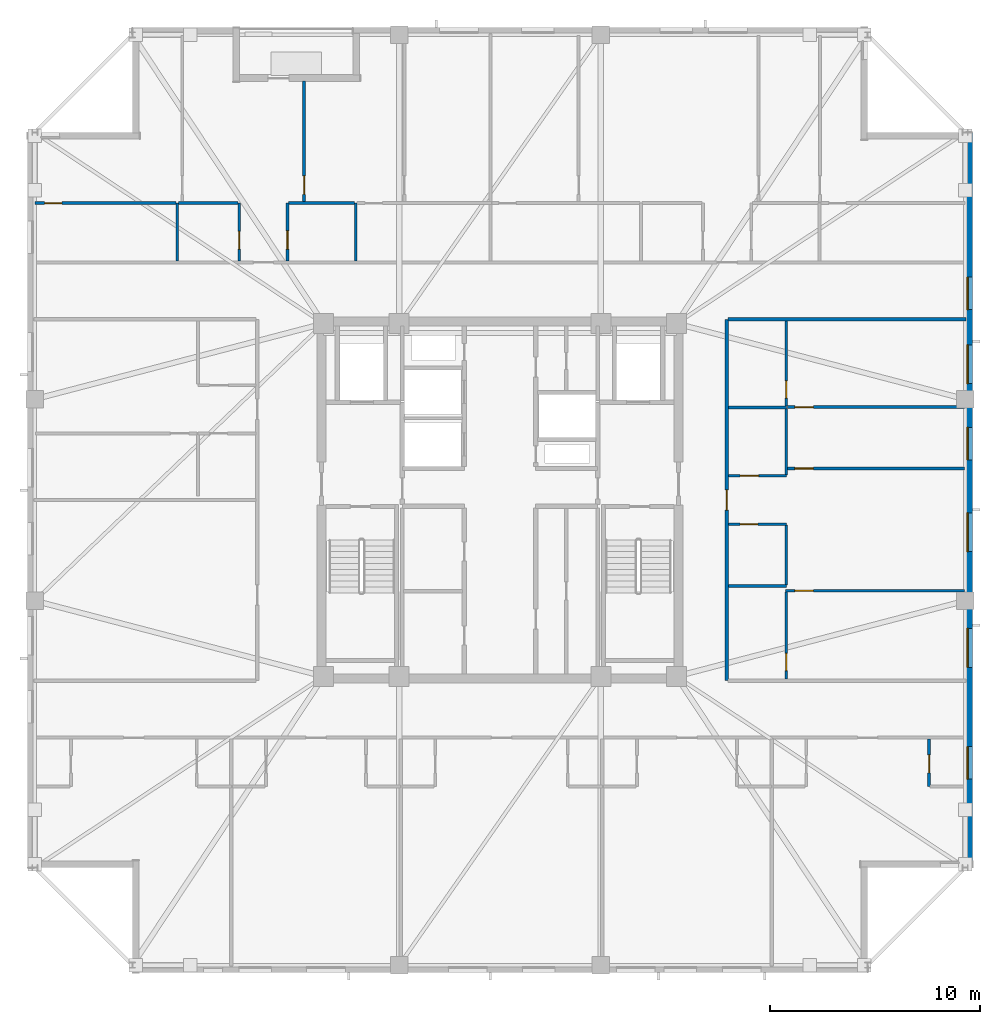
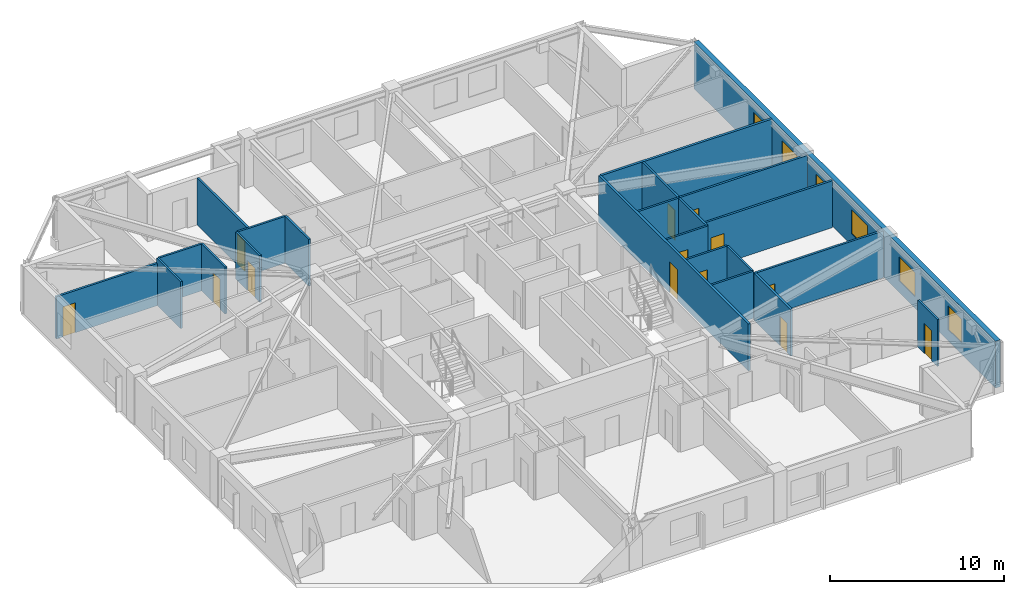
# One storey, part 10 of 17: 23 walls, 13 doors, 6 windows, 19 openings.
"""IFC4 building model written with IfcOpenShell, lengths in metres."""

from ifc_helpers import new_model, si_unit, direction, frame, frame_2d, origin, place, context, subcontext, project, spatial, rectangle, extrude, material, layer, layer_set, type_object, element, fill, save


model = new_model("IFC4")

# Units and contexts
model_context = context("Model", 3, precision=1e-05, world=origin(), true_north=direction((0.0, 1.0)))
body_context = subcontext(model_context, "Body", "Model", "MODEL_VIEW")
ifc_project = project(units=[si_unit("LENGTHUNIT", "METRE"), si_unit("AREAUNIT", "SQUARE_METRE"), si_unit("VOLUMEUNIT", "CUBIC_METRE"), si_unit("PLANEANGLEUNIT", "RADIAN"), si_unit("MASSUNIT", "GRAM", prefix="KILO")], contexts=[model_context])

# Site, building, storey
site_placement = place(None, origin())
site = spatial("IfcSite", under=ifc_project, at=site_placement, CompositionType="ELEMENT")
building_placement = place(site_placement, origin())
building = spatial("IfcBuilding", under=site, at=building_placement, Name="Cairnveth Concourse Tower", CompositionType="ELEMENT")
storey_placement = place(building_placement, frame((0.0, 0.0, 216.5)))
storey = spatial("IfcBuildingStorey", under=building, at=storey_placement, Name="L59", CompositionType="ELEMENT", Elevation=216.5)

# Wall, opening, door
ifc_material_1 = material(Name="Gypsum Plasterboard Partition", Category="gypsum")
ifc_layer_1 = layer(ifc_material_1, 0.159912109375)
ifc_layer_set_1 = layer_set([ifc_layer_1], Name="Gypsum Plasterboard Partition")
wall_type_1 = type_object("IfcWallType", Name="ACOUSTIC PARTY WALL 180", PredefinedType="PARTITIONING", material=ifc_layer_set_1)
wall_1_placement = place(storey_placement, frame((62.800048828125, 30.39990234375, 0.0), z_axis=(0.0, 0.0, 1.0), x_axis=(0.0, 1.0, 0.0)))
wall_1 = element("IfcWall", 1, at=wall_1_placement, inside=storey, type_object=wall_type_1, Name="Interior Wall IW-L59-039", PredefinedType="PARTITIONING", context=body_context, shape_type="SweptSolid", body=[
    extrude(rectangle(XDim=17.2001953125, YDim=0.159912109375, at=frame_2d((8.60009765625, 0.0))), origin(), (0.0, 0.0, 1.0), 3.2900390625),
])
opening_1_placement = place(wall_1_placement, frame((8.1201171875, 0.0, 0.0)))
opening_1 = element("IfcOpeningElement", 2, at=opening_1_placement, cuts=wall_1, Name="Opening ID10", PredefinedType="OPENING", context=body_context, shape_type="SweptSolid", body=[
    extrude(rectangle(XDim=0.9599609375, YDim=2.179931640625, at=frame_2d((0.47998046875, 1.08984375))), frame((0.0, 0.08984375, 0.0), z_axis=(0.0, -1.0, 0.0), x_axis=(1.0, 0.0, 0.0)), (0.0, 0.0, 1.0), 0.179931640625),
])
ifc_material_2 = material(Name="Solid Core Hardwood Timber Leaf", Category="wood")
door_type_1 = type_object("IfcDoorType", Name="FLAT ENTRANCE DOOR 960X2150", OperationType="NOTDEFINED", PredefinedType="DOOR", material=ifc_material_2)
door_1_placement = place(opening_1_placement, origin())
door_1 = element("IfcDoor", 3, at=door_1_placement, inside=storey, type_object=door_type_1, Name="Apartment L59E1 Entrance Door", OperationType="SINGLE_SWING_RIGHT", OverallHeight=2.179931640625, OverallWidth=0.9599609375, PredefinedType="DOOR", context=body_context, shape_type="SweptSolid", body=[
    extrude(rectangle(XDim=0.9599609375, YDim=2.179931640625, at=frame_2d((0.47998046875, 1.08984375))), frame((0.0, 0.02490234375, 0.0), z_axis=(0.0, -1.0, 0.0), x_axis=(1.0, 0.0, 0.0)), (0.0, 0.0, 1.0), 0.050048828125),
])
fill(opening_1, door_1)

# Wall
wall_2_placement = place(storey_placement, frame((62.864990234375, 47.60009765625, 0.0), z_axis=(0.0, 0.0, 1.0), x_axis=(1.0, 0.0, 0.0)))
element("IfcWall", 4, at=wall_2_placement, inside=storey, type_object=wall_type_1, Name="Interior Wall IW-L59-043", PredefinedType="PARTITIONING", context=body_context, shape_type="SweptSolid", body=[
    extrude(rectangle(XDim=11.330078125, YDim=0.159912109375, at=frame_2d((5.6650390625, 0.0))), origin(), (0.0, 0.0, 1.0), 3.2900390625),
])

# Wall, opening, door
ifc_layer_2 = layer(ifc_material_1, 0.139892578125)
ifc_layer_set_2 = layer_set([ifc_layer_2], Name="Gypsum Plasterboard Partition")
wall_type_2 = type_object("IfcWallType", Name="GYPSUM STUD PARTITION 140", PredefinedType="PARTITIONING", material=ifc_layer_set_2)
wall_3_placement = place(storey_placement, frame((29.8701171875, 53.139892578125, 0.0), z_axis=(0.0, 0.0, 1.0), x_axis=(1.0, 0.0, 0.0)))
wall_3 = element("IfcWall", 5, at=wall_3_placement, inside=storey, type_object=wall_type_2, Name="Interior Wall IW-L59-075", PredefinedType="PARTITIONING", context=body_context, shape_type="SweptSolid", body=[
    extrude(rectangle(XDim=6.71240234375, YDim=0.139892578125, at=frame_2d((3.356201171875, 0.0))), origin(), (0.0, 0.0, 1.0), 2.9580078125),
])
opening_2_placement = place(wall_3_placement, frame((0.449951171875, 0.0, 0.0)))
opening_2 = element("IfcOpeningElement", 6, at=opening_2_placement, cuts=wall_3, Name="Opening ID22", PredefinedType="OPENING", context=body_context, shape_type="SweptSolid", body=[
    extrude(rectangle(XDim=0.820068359375, YDim=2.10009765625, at=frame_2d((0.41015625, 1.050048828125))), frame((0.0, 0.079833984375, 0.0), z_axis=(0.0, -1.0, 0.0), x_axis=(1.0, 0.0, 0.0)), (0.0, 0.0, 1.0), 0.159912109375),
])
door_type_2 = type_object("IfcDoorType", Name="INTERIOR WC DOOR 820X2100", OperationType="NOTDEFINED", PredefinedType="DOOR", material=ifc_material_2)
door_2_placement = place(opening_2_placement, origin())
door_2 = element("IfcDoor", 7, at=door_2_placement, inside=storey, type_object=door_type_2, Name="L59N1 Dressing Door", OperationType="SINGLE_SWING_RIGHT", OverallHeight=2.10009765625, OverallWidth=0.820068359375, PredefinedType="DOOR", context=body_context, shape_type="SweptSolid", body=[
    extrude(rectangle(XDim=0.820068359375, YDim=2.10009765625, at=frame_2d((0.41015625, 1.050048828125))), frame((0.0, 0.02490234375, 0.0), z_axis=(0.0, -1.0, 0.0), x_axis=(1.0, 0.0, 0.0)), (0.0, 0.0, 1.0), 0.050048828125),
])
fill(opening_2, door_2)

wall_4_placement = place(storey_placement, frame((42.669921875, 53.18994140625, 0.0), z_axis=(0.0, 0.0, 1.0), x_axis=(0.0, 1.0, 0.0)))
wall_4 = element("IfcWall", 8, at=wall_4_placement, inside=storey, type_object=wall_type_2, Name="Interior Wall IW-L59-078", PredefinedType="PARTITIONING", context=body_context, shape_type="SweptSolid", body=[
    extrude(rectangle(XDim=5.755126953125, YDim=0.139892578125, at=frame_2d((2.87744140625, 0.0))), origin(), (0.0, 0.0, 1.0), 3.2900390625),
])
opening_3_placement = place(wall_4_placement, frame((0.360107421875, 0.0, 0.0)))
opening_3 = element("IfcOpeningElement", 9, at=opening_3_placement, cuts=wall_4, Name="Opening ID18", PredefinedType="OPENING", context=body_context, shape_type="SweptSolid", body=[
    extrude(rectangle(XDim=0.8798828125, YDim=2.10009765625, at=frame_2d((0.43994140625, 1.050048828125))), frame((0.0, 0.079833984375, 0.0), z_axis=(0.0, -1.0, 0.0), x_axis=(1.0, 0.0, 0.0)), (0.0, 0.0, 1.0), 0.159912109375),
])
door_type_3 = type_object("IfcDoorType", Name="INTERIOR SINGLE DOOR 880X2100", OperationType="NOTDEFINED", PredefinedType="DOOR", material=ifc_material_2)
door_3_placement = place(opening_3_placement, origin())
door_3 = element("IfcDoor", 10, at=door_3_placement, inside=storey, type_object=door_type_3, Name="L59N1 Media Lounge Door", OperationType="SINGLE_SWING_RIGHT", OverallHeight=2.10009765625, OverallWidth=0.8798828125, PredefinedType="DOOR", context=body_context, shape_type="SweptSolid", body=[
    extrude(rectangle(XDim=0.8798828125, YDim=2.10009765625, at=frame_2d((0.43994140625, 1.050048828125))), frame((0.0, 0.02490234375, 0.0), z_axis=(0.0, -1.0, 0.0), x_axis=(1.0, 0.0, 0.0)), (0.0, 0.0, 1.0), 0.050048828125),
])
fill(opening_3, door_3)

wall_5_placement = place(storey_placement, frame((65.590087890625, 34.679931640625, 0.0), z_axis=(0.0, 0.0, 1.0), x_axis=(1.0, 0.0, 0.0)))
wall_5 = element("IfcWall", 11, at=wall_5_placement, inside=storey, type_object=wall_type_2, Name="Interior Wall IW-L59-103", PredefinedType="PARTITIONING", context=body_context, shape_type="SweptSolid", body=[
    extrude(rectangle(XDim=8.530029296875, YDim=0.139892578125, at=frame_2d((4.26513671875, 0.0))), origin(), (0.0, 0.0, 1.0), 3.2900390625),
])
opening_4_placement = place(wall_5_placement, frame((0.449951171875, 0.0, 0.0)))
opening_4 = element("IfcOpeningElement", 12, at=opening_4_placement, cuts=wall_5, Name="Opening ID18", PredefinedType="OPENING", context=body_context, shape_type="SweptSolid", body=[
    extrude(rectangle(XDim=0.8798828125, YDim=2.10009765625, at=frame_2d((0.43994140625, 1.050048828125))), frame((0.0, 0.079833984375, 0.0), z_axis=(0.0, -1.0, 0.0), x_axis=(1.0, 0.0, 0.0)), (0.0, 0.0, 1.0), 0.159912109375),
])
door_4_placement = place(opening_4_placement, origin())
door_4 = element("IfcDoor", 13, at=door_4_placement, inside=storey, type_object=door_type_3, Name="L59E1 Master Bedroom Door", OperationType="SINGLE_SWING_RIGHT", OverallHeight=2.10009765625, OverallWidth=0.8798828125, PredefinedType="DOOR", context=body_context, shape_type="SweptSolid", body=[
    extrude(rectangle(XDim=0.8798828125, YDim=2.10009765625, at=frame_2d((0.43994140625, 1.050048828125))), frame((0.0, 0.02490234375, 0.0), z_axis=(0.0, -1.0, 0.0), x_axis=(1.0, 0.0, 0.0)), (0.0, 0.0, 1.0), 0.050048828125),
])
fill(opening_4, door_4)

wall_6_placement = place(storey_placement, frame((65.6298828125, 30.465087890625, 0.0), z_axis=(0.0, 0.0, 1.0), x_axis=(0.0, 1.0, 0.0)))
wall_6 = element("IfcWall", 14, at=wall_6_placement, inside=storey, type_object=wall_type_2, Name="Interior Wall IW-L59-104", PredefinedType="PARTITIONING", context=body_context, shape_type="SweptSolid", body=[
    extrude(rectangle(XDim=4.159912109375, YDim=0.139892578125, at=frame_2d((2.080078125, 0.0))), origin(), (0.0, 0.0, 1.0), 3.2900390625),
])
opening_5_placement = place(wall_6_placement, frame((0.4150390625, 0.0, 0.0)))
opening_5 = element("IfcOpeningElement", 15, at=opening_5_placement, cuts=wall_6, Name="Opening ID22", PredefinedType="OPENING", context=body_context, shape_type="SweptSolid", body=[
    extrude(rectangle(XDim=0.820068359375, YDim=2.10009765625, at=frame_2d((0.41015625, 1.050048828125))), frame((0.0, 0.079833984375, 0.0), z_axis=(0.0, -1.0, 0.0), x_axis=(1.0, 0.0, 0.0)), (0.0, 0.0, 1.0), 0.159912109375),
])
door_5_placement = place(opening_5_placement, origin())
door_5 = element("IfcDoor", 16, at=door_5_placement, inside=storey, type_object=door_type_2, Name="L59E1 Dressing Door", OperationType="SINGLE_SWING_LEFT", OverallHeight=2.10009765625, OverallWidth=0.820068359375, PredefinedType="DOOR", context=body_context, shape_type="SweptSolid", body=[
    extrude(rectangle(XDim=0.820068359375, YDim=2.10009765625, at=frame_2d((0.41015625, 1.050048828125))), frame((0.0, 0.02490234375, 0.0), z_axis=(0.0, -1.0, 0.0), x_axis=(1.0, 0.0, 0.0)), (0.0, 0.0, 1.0), 0.050048828125),
])
fill(opening_5, door_5)

wall_7_placement = place(storey_placement, frame((65.679931640625, 43.419921875, 0.0), z_axis=(0.0, 0.0, 1.0), x_axis=(1.0, 0.0, 0.0)))
wall_7 = element("IfcWall", 17, at=wall_7_placement, inside=storey, type_object=wall_type_2, Name="Interior Wall IW-L59-105", PredefinedType="PARTITIONING", context=body_context, shape_type="SweptSolid", body=[
    extrude(rectangle(XDim=8.440185546875, YDim=0.139892578125, at=frame_2d((4.22021484375, 0.0))), origin(), (0.0, 0.0, 1.0), 3.2900390625),
])
opening_6_placement = place(wall_7_placement, frame((0.360107421875, 0.0, 0.0)))
opening_6 = element("IfcOpeningElement", 18, at=opening_6_placement, cuts=wall_7, Name="Opening ID18", PredefinedType="OPENING", context=body_context, shape_type="SweptSolid", body=[
    extrude(rectangle(XDim=0.8798828125, YDim=2.10009765625, at=frame_2d((0.43994140625, 1.050048828125))), frame((0.0, 0.079833984375, 0.0), z_axis=(0.0, -1.0, 0.0), x_axis=(1.0, 0.0, 0.0)), (0.0, 0.0, 1.0), 0.159912109375),
])
door_6_placement = place(opening_6_placement, origin())
door_6 = element("IfcDoor", 19, at=door_6_placement, inside=storey, type_object=door_type_3, Name="L59E1 Bedroom 2 Door", OperationType="SINGLE_SWING_RIGHT", OverallHeight=2.10009765625, OverallWidth=0.8798828125, PredefinedType="DOOR", context=body_context, shape_type="SweptSolid", body=[
    extrude(rectangle(XDim=0.8798828125, YDim=2.10009765625, at=frame_2d((0.43994140625, 1.050048828125))), frame((0.0, 0.02490234375, 0.0), z_axis=(0.0, -1.0, 0.0), x_axis=(1.0, 0.0, 0.0)), (0.0, 0.0, 1.0), 0.050048828125),
])
fill(opening_6, door_6)

wall_8_placement = place(storey_placement, frame((65.6298828125, 43.47509765625, 0.0), z_axis=(0.0, 0.0, 1.0), x_axis=(0.0, 1.0, 0.0)))
wall_8 = element("IfcWall", 20, at=wall_8_placement, inside=storey, type_object=wall_type_2, Name="Interior Wall IW-L59-106", PredefinedType="PARTITIONING", context=body_context, shape_type="SweptSolid", body=[
    extrude(rectangle(XDim=4.059814453125, YDim=0.139892578125, at=frame_2d((2.02978515625, 0.0))), origin(), (0.0, 0.0, 1.0), 3.2900390625),
])
opening_7_placement = place(wall_8_placement, frame((0.375, 0.0, 0.0)))
opening_7 = element("IfcOpeningElement", 21, at=opening_7_placement, cuts=wall_8, Name="Opening ID22", PredefinedType="OPENING", context=body_context, shape_type="SweptSolid", body=[
    extrude(rectangle(XDim=0.820068359375, YDim=2.10009765625, at=frame_2d((0.41015625, 1.050048828125))), frame((0.0, 0.079833984375, 0.0), z_axis=(0.0, -1.0, 0.0), x_axis=(1.0, 0.0, 0.0)), (0.0, 0.0, 1.0), 0.159912109375),
])
door_7_placement = place(opening_7_placement, origin())
door_7 = element("IfcDoor", 22, at=door_7_placement, inside=storey, type_object=door_type_2, Name="L59E1 Utility Door", OperationType="SINGLE_SWING_LEFT", OverallHeight=2.10009765625, OverallWidth=0.820068359375, PredefinedType="DOOR", context=body_context, shape_type="SweptSolid", body=[
    extrude(rectangle(XDim=0.820068359375, YDim=2.10009765625, at=frame_2d((0.41015625, 1.050048828125))), frame((0.0, 0.02490234375, 0.0), z_axis=(0.0, -1.0, 0.0), x_axis=(1.0, 0.0, 0.0)), (0.0, 0.0, 1.0), 0.050048828125),
])
fill(opening_7, door_7)

wall_9_placement = place(storey_placement, frame((65.679931640625, 40.5, 0.0), z_axis=(0.0, 0.0, 1.0), x_axis=(1.0, 0.0, 0.0)))
wall_9 = element("IfcWall", 23, at=wall_9_placement, inside=storey, type_object=wall_type_2, Name="Interior Wall IW-L59-107", PredefinedType="PARTITIONING", context=body_context, shape_type="SweptSolid", body=[
    extrude(rectangle(XDim=8.440185546875, YDim=0.139892578125, at=frame_2d((4.22021484375, 0.0))), origin(), (0.0, 0.0, 1.0), 3.2900390625),
])
opening_8_placement = place(wall_9_placement, frame((0.360107421875, 0.0, 0.0)))
opening_8 = element("IfcOpeningElement", 24, at=opening_8_placement, cuts=wall_9, Name="Opening ID18", PredefinedType="OPENING", context=body_context, shape_type="SweptSolid", body=[
    extrude(rectangle(XDim=0.8798828125, YDim=2.10009765625, at=frame_2d((0.43994140625, 1.050048828125))), frame((0.0, 0.079833984375, 0.0), z_axis=(0.0, -1.0, 0.0), x_axis=(1.0, 0.0, 0.0)), (0.0, 0.0, 1.0), 0.159912109375),
])
door_8_placement = place(opening_8_placement, origin())
door_8 = element("IfcDoor", 25, at=door_8_placement, inside=storey, type_object=door_type_3, Name="L59E1 Media Lounge Door", OperationType="SINGLE_SWING_LEFT", OverallHeight=2.10009765625, OverallWidth=0.8798828125, PredefinedType="DOOR", context=body_context, shape_type="SweptSolid", body=[
    extrude(rectangle(XDim=0.8798828125, YDim=2.10009765625, at=frame_2d((0.43994140625, 1.050048828125))), frame((0.0, 0.02490234375, 0.0), z_axis=(0.0, -1.0, 0.0), x_axis=(1.0, 0.0, 0.0)), (0.0, 0.0, 1.0), 0.050048828125),
])
fill(opening_8, door_8)

ifc_layer_3 = layer(ifc_material_1, 0.1298828125)
ifc_layer_set_3 = layer_set([ifc_layer_3], Name="Gypsum Plasterboard Partition")
wall_type_3 = type_object("IfcWallType", Name="WET AREA PARTITION 140", PredefinedType="PLUMBINGWALL", material=ifc_layer_set_3)
wall_10_placement = place(storey_placement, frame((72.429931640625, 25.360107421875, 0.0), z_axis=(0.0, 0.0, 1.0), x_axis=(0.0, 1.0, 0.0)))
wall_10 = element("IfcWall", 26, at=wall_10_placement, inside=storey, type_object=wall_type_3, Name="Interior Wall IW-L59-066", PredefinedType="PLUMBINGWALL", context=body_context, shape_type="SweptSolid", body=[
    extrude(rectangle(XDim=2.25, YDim=0.1298828125, at=frame_2d((1.125, 0.0))), origin(), (0.0, 0.0, 1.0), 3.2900390625),
])
opening_9_placement = place(wall_10_placement, frame((0.64990234375, 0.0, 0.0)))
opening_9 = element("IfcOpeningElement", 27, at=opening_9_placement, cuts=wall_10, Name="Opening ID20", PredefinedType="OPENING", context=body_context, shape_type="SweptSolid", body=[
    extrude(rectangle(XDim=0.85009765625, YDim=2.10009765625, at=frame_2d((0.425048828125, 1.050048828125))), frame((0.0, 0.074951171875, 0.0), z_axis=(0.0, -1.0, 0.0), x_axis=(1.0, 0.0, 0.0)), (0.0, 0.0, 1.0), 0.14990234375),
])
door_type_4 = type_object("IfcDoorType", Name="INTERIOR SINGLE DOOR 850X2100", OperationType="NOTDEFINED", PredefinedType="DOOR", material=ifc_material_2)
door_9_placement = place(opening_9_placement, origin())
door_9 = element("IfcDoor", 28, at=door_9_placement, inside=storey, type_object=door_type_4, Name="L59STS5 Kitchen Door", OperationType="SINGLE_SWING_RIGHT", OverallHeight=2.10009765625, OverallWidth=0.85009765625, PredefinedType="DOOR", context=body_context, shape_type="SweptSolid", body=[
    extrude(rectangle(XDim=0.85009765625, YDim=2.10009765625, at=frame_2d((0.425048828125, 1.050048828125))), frame((0.0, 0.02490234375, 0.0), z_axis=(0.0, -1.0, 0.0), x_axis=(1.0, 0.0, 0.0)), (0.0, 0.0, 1.0), 0.050048828125),
])
fill(opening_9, door_9)

# Wall
wall_11_placement = place(storey_placement, frame((36.632568359375, 50.389892578125, 0.0), z_axis=(0.0, 0.0, 1.0), x_axis=(0.0, 1.0, 0.0)))
element("IfcWall", 29, at=wall_11_placement, inside=storey, type_object=wall_type_3, Name="Interior Wall IW-L59-068", PredefinedType="PLUMBINGWALL", context=body_context, shape_type="SweptSolid", body=[
    extrude(rectangle(XDim=2.75, YDim=0.1298828125, at=frame_2d((1.375, 0.0))), origin(), (0.0, 0.0, 1.0), 3.2900390625),
])

# Wall, opening, door
wall_12_placement = place(storey_placement, frame((39.58251953125, 50.389892578125, 0.0), z_axis=(0.0, 0.0, 1.0), x_axis=(0.0, 1.0, 0.0)))
wall_12 = element("IfcWall", 30, at=wall_12_placement, inside=storey, type_object=wall_type_3, Name="Interior Wall IW-L59-069", PredefinedType="PLUMBINGWALL", context=body_context, shape_type="SweptSolid", body=[
    extrude(rectangle(XDim=2.75, YDim=0.1298828125, at=frame_2d((1.375, 0.0))), origin(), (0.0, 0.0, 1.0), 3.2900390625),
])
opening_10_placement = place(wall_12_placement, frame((0.550048828125, 0.0, 0.0)))
opening_10 = element("IfcOpeningElement", 31, at=opening_10_placement, cuts=wall_12, Name="Opening ID21", PredefinedType="OPENING", context=body_context, shape_type="SweptSolid", body=[
    extrude(rectangle(XDim=0.85009765625, YDim=2.080078125, at=frame_2d((0.425048828125, 1.0400390625))), frame((0.0, 0.074951171875, 0.0), z_axis=(0.0, -1.0, 0.0), x_axis=(1.0, 0.0, 0.0)), (0.0, 0.0, 1.0), 0.14990234375),
])
door_type_5 = type_object("IfcDoorType", Name="INTERIOR WC DOOR 850X2100", OperationType="NOTDEFINED", PredefinedType="DOOR", material=ifc_material_2)
door_10_placement = place(opening_10_placement, origin())
door_10 = element("IfcDoor", 32, at=door_10_placement, inside=storey, type_object=door_type_5, Name="L59N1 Bathroom Door", OperationType="SINGLE_SWING_RIGHT", OverallHeight=2.080078125, OverallWidth=0.85009765625, PredefinedType="DOOR", context=body_context, shape_type="SweptSolid", body=[
    extrude(rectangle(XDim=0.85009765625, YDim=2.080078125, at=frame_2d((0.425048828125, 1.0400390625))), frame((0.0, 0.02490234375, 0.0), z_axis=(0.0, -1.0, 0.0), x_axis=(1.0, 0.0, 0.0)), (0.0, 0.0, 1.0), 0.050048828125),
])
fill(opening_10, door_10)

# Walls
wall_13_placement = place(storey_placement, frame((36.6826171875, 53.139892578125, 0.0), z_axis=(0.0, 0.0, 1.0), x_axis=(1.0, 0.0, 0.0)))
element("IfcWall", 33, at=wall_13_placement, inside=storey, type_object=wall_type_3, Name="Interior Wall IW-L59-070", PredefinedType="PLUMBINGWALL", context=body_context, shape_type="SweptSolid", body=[
    extrude(rectangle(XDim=2.849853515625, YDim=0.1298828125, at=frame_2d((1.4248046875, 0.0))), origin(), (0.0, 0.0, 1.0), 3.2900390625),
])
wall_14_placement = place(storey_placement, frame((45.132568359375, 50.389892578125, 0.0), z_axis=(0.0, 0.0, 1.0), x_axis=(0.0, 1.0, 0.0)))
element("IfcWall", 34, at=wall_14_placement, inside=storey, type_object=wall_type_3, Name="Interior Wall IW-L59-071", PredefinedType="PLUMBINGWALL", context=body_context, shape_type="SweptSolid", body=[
    extrude(rectangle(XDim=2.75, YDim=0.1298828125, at=frame_2d((1.375, 0.0))), origin(), (0.0, 0.0, 1.0), 3.2900390625),
])

# Wall, opening, door
wall_15_placement = place(storey_placement, frame((41.882568359375, 50.389892578125, 0.0), z_axis=(0.0, 0.0, 1.0), x_axis=(0.0, 1.0, 0.0)))
wall_15 = element("IfcWall", 35, at=wall_15_placement, inside=storey, type_object=wall_type_3, Name="Interior Wall IW-L59-072", PredefinedType="PLUMBINGWALL", context=body_context, shape_type="SweptSolid", body=[
    extrude(rectangle(XDim=2.75, YDim=0.1298828125, at=frame_2d((1.375, 0.0))), origin(), (0.0, 0.0, 1.0), 3.2900390625),
])
opening_11_placement = place(wall_15_placement, frame((0.550048828125, 0.0, 0.0)))
opening_11 = element("IfcOpeningElement", 36, at=opening_11_placement, cuts=wall_15, Name="Opening ID18", PredefinedType="OPENING", context=body_context, shape_type="SweptSolid", body=[
    extrude(rectangle(XDim=0.8798828125, YDim=2.10009765625, at=frame_2d((0.43994140625, 1.050048828125))), frame((0.0, 0.074951171875, 0.0), z_axis=(0.0, -1.0, 0.0), x_axis=(1.0, 0.0, 0.0)), (0.0, 0.0, 1.0), 0.14990234375),
])
door_11_placement = place(opening_11_placement, origin())
door_11 = element("IfcDoor", 37, at=door_11_placement, inside=storey, type_object=door_type_3, Name="L59N1 Kitchen Door", OperationType="SINGLE_SWING_LEFT", OverallHeight=2.10009765625, OverallWidth=0.8798828125, PredefinedType="DOOR", context=body_context, shape_type="SweptSolid", body=[
    extrude(rectangle(XDim=0.8798828125, YDim=2.10009765625, at=frame_2d((0.43994140625, 1.050048828125))), frame((0.0, 0.02490234375, 0.0), z_axis=(0.0, -1.0, 0.0), x_axis=(1.0, 0.0, 0.0)), (0.0, 0.0, 1.0), 0.050048828125),
])
fill(opening_11, door_11)

# Walls
wall_16_placement = place(storey_placement, frame((41.9326171875, 53.139892578125, 0.0), z_axis=(0.0, 0.0, 1.0), x_axis=(1.0, 0.0, 0.0)))
element("IfcWall", 38, at=wall_16_placement, inside=storey, type_object=wall_type_3, Name="Interior Wall IW-L59-073", PredefinedType="PLUMBINGWALL", context=body_context, shape_type="SweptSolid", body=[
    extrude(rectangle(XDim=3.14990234375, YDim=0.1298828125, at=frame_2d((1.574951171875, 0.0))), origin(), (0.0, 0.0, 1.0), 3.2900390625),
])
wall_17_placement = place(storey_placement, frame((62.8798828125, 34.89990234375, 0.0), z_axis=(0.0, 0.0, 1.0), x_axis=(1.0, 0.0, 0.0)))
element("IfcWall", 39, at=wall_17_placement, inside=storey, type_object=wall_type_3, Name="Interior Wall IW-L59-097", PredefinedType="PLUMBINGWALL", context=body_context, shape_type="SweptSolid", body=[
    extrude(rectangle(XDim=2.75, YDim=0.1298828125, at=frame_2d((1.375, 0.0))), origin(), (0.0, 0.0, 1.0), 3.2900390625),
])

# Wall, opening, door
wall_18_placement = place(storey_placement, frame((62.8798828125, 37.85009765625, 0.0), z_axis=(0.0, 0.0, 1.0), x_axis=(1.0, 0.0, 0.0)))
wall_18 = element("IfcWall", 40, at=wall_18_placement, inside=storey, type_object=wall_type_3, Name="Interior Wall IW-L59-098", PredefinedType="PLUMBINGWALL", context=body_context, shape_type="SweptSolid", body=[
    extrude(rectangle(XDim=2.75, YDim=0.1298828125, at=frame_2d((1.375, 0.0))), origin(), (0.0, 0.0, 1.0), 3.2900390625),
])
opening_12_placement = place(wall_18_placement, frame((0.550048828125, 0.0, 0.0)))
opening_12 = element("IfcOpeningElement", 41, at=opening_12_placement, cuts=wall_18, Name="Opening ID21", PredefinedType="OPENING", context=body_context, shape_type="SweptSolid", body=[
    extrude(rectangle(XDim=0.85009765625, YDim=2.080078125, at=frame_2d((0.425048828125, 1.0400390625))), frame((0.0, 0.074951171875, 0.0), z_axis=(0.0, -1.0, 0.0), x_axis=(1.0, 0.0, 0.0)), (0.0, 0.0, 1.0), 0.14990234375),
])
door_12_placement = place(opening_12_placement, origin())
door_12 = element("IfcDoor", 42, at=door_12_placement, inside=storey, type_object=door_type_5, Name="L59E1 Bathroom Door", OperationType="SINGLE_SWING_LEFT", OverallHeight=2.080078125, OverallWidth=0.85009765625, PredefinedType="DOOR", context=body_context, shape_type="SweptSolid", body=[
    extrude(rectangle(XDim=0.85009765625, YDim=2.080078125, at=frame_2d((0.425048828125, 1.0400390625))), frame((0.0, 0.02490234375, 0.0), z_axis=(0.0, -1.0, 0.0), x_axis=(1.0, 0.0, 0.0)), (0.0, 0.0, 1.0), 0.050048828125),
])
fill(opening_12, door_12)

# Walls
wall_19_placement = place(storey_placement, frame((65.6298828125, 34.949951171875, 0.0), z_axis=(0.0, 0.0, 1.0), x_axis=(0.0, 1.0, 0.0)))
element("IfcWall", 43, at=wall_19_placement, inside=storey, type_object=wall_type_3, Name="Interior Wall IW-L59-099", PredefinedType="PLUMBINGWALL", context=body_context, shape_type="SweptSolid", body=[
    extrude(rectangle(XDim=2.85009765625, YDim=0.1298828125, at=frame_2d((1.425048828125, 0.0))), origin(), (0.0, 0.0, 1.0), 3.2900390625),
])
wall_20_placement = place(storey_placement, frame((62.8798828125, 43.39990234375, 0.0), z_axis=(0.0, 0.0, 1.0), x_axis=(1.0, 0.0, 0.0)))
element("IfcWall", 44, at=wall_20_placement, inside=storey, type_object=wall_type_3, Name="Interior Wall IW-L59-100", PredefinedType="PLUMBINGWALL", context=body_context, shape_type="SweptSolid", body=[
    extrude(rectangle(XDim=2.75, YDim=0.1298828125, at=frame_2d((1.375, 0.0))), origin(), (0.0, 0.0, 1.0), 3.2900390625),
])

# Wall, opening, door
wall_21_placement = place(storey_placement, frame((62.8798828125, 40.14990234375, 0.0), z_axis=(0.0, 0.0, 1.0), x_axis=(1.0, 0.0, 0.0)))
wall_21 = element("IfcWall", 45, at=wall_21_placement, inside=storey, type_object=wall_type_3, Name="Interior Wall IW-L59-101", PredefinedType="PLUMBINGWALL", context=body_context, shape_type="SweptSolid", body=[
    extrude(rectangle(XDim=2.75, YDim=0.1298828125, at=frame_2d((1.375, 0.0))), origin(), (0.0, 0.0, 1.0), 3.2900390625),
])
opening_13_placement = place(wall_21_placement, frame((0.550048828125, 0.0, 0.0)))
opening_13 = element("IfcOpeningElement", 46, at=opening_13_placement, cuts=wall_21, Name="Opening ID18", PredefinedType="OPENING", context=body_context, shape_type="SweptSolid", body=[
    extrude(rectangle(XDim=0.8798828125, YDim=2.10009765625, at=frame_2d((0.43994140625, 1.050048828125))), frame((0.0, 0.074951171875, 0.0), z_axis=(0.0, -1.0, 0.0), x_axis=(1.0, 0.0, 0.0)), (0.0, 0.0, 1.0), 0.14990234375),
])
door_13_placement = place(opening_13_placement, origin())
door_13 = element("IfcDoor", 47, at=door_13_placement, inside=storey, type_object=door_type_3, Name="L59E1 Kitchen Door", OperationType="SINGLE_SWING_RIGHT", OverallHeight=2.10009765625, OverallWidth=0.8798828125, PredefinedType="DOOR", context=body_context, shape_type="SweptSolid", body=[
    extrude(rectangle(XDim=0.8798828125, YDim=2.10009765625, at=frame_2d((0.43994140625, 1.050048828125))), frame((0.0, 0.02490234375, 0.0), z_axis=(0.0, -1.0, 0.0), x_axis=(1.0, 0.0, 0.0)), (0.0, 0.0, 1.0), 0.050048828125),
])
fill(opening_13, door_13)

# Wall
wall_22_placement = place(storey_placement, frame((65.6298828125, 40.199951171875, 0.0), z_axis=(0.0, 0.0, 1.0), x_axis=(0.0, 1.0, 0.0)))
element("IfcWall", 48, at=wall_22_placement, inside=storey, type_object=wall_type_3, Name="Interior Wall IW-L59-102", PredefinedType="PLUMBINGWALL", context=body_context, shape_type="SweptSolid", body=[
    extrude(rectangle(XDim=3.150146484375, YDim=0.1298828125, at=frame_2d((1.5751953125, 0.0))), origin(), (0.0, 0.0, 1.0), 3.2900390625),
])

# Wall, openings, windows
ifc_material_3 = material(Name="Melbourne Buff Fired Clay Brick Masonry", Category="masonry")
ifc_layer_4 = layer(ifc_material_3, 0.320068359375)
ifc_layer_set_4 = layer_set([ifc_layer_4], Name="Melbourne Buff Fired Clay Brick Masonry")
wall_type_4 = type_object("IfcWallType", Name="ZONE 3 BRICK PIER SPANDREL WALL 320", PredefinedType="SOLIDWALL", material=ifc_layer_set_4)
wall_23_placement = place(storey_placement, frame((74.340087890625, 56.5, 0.0), z_axis=(0.0, 0.0, 1.0), x_axis=(0.0, -1.0, 0.0)))
wall_23 = element("IfcWall", 49, at=wall_23_placement, inside=storey, type_object=wall_type_4, Name="Exterior Wall EW-L59-S03", PredefinedType="SOLIDWALL", context=body_context, shape_type="SweptSolid", body=[
    extrude(rectangle(XDim=34.701904296875, YDim=0.320068359375, at=frame_2d((17.35107421875, 0.0))), origin(), (0.0, 0.0, 1.0), 3.2900390625),
])
opening_14_placement = place(wall_23_placement, frame((6.887939453125, 0.0, 0.800048828125)))
opening_14 = element("IfcOpeningElement", 50, at=opening_14_placement, cuts=wall_23, Name="Opening W07", PredefinedType="OPENING", context=body_context, shape_type="SweptSolid", body=[
    extrude(rectangle(XDim=1.550048828125, YDim=1.677978515625, at=frame_2d((0.77490234375, 0.8388671875))), frame((0.0, 0.169921875, 0.0), z_axis=(0.0, -1.0, 0.0), x_axis=(1.0, 0.0, 0.0)), (0.0, 0.0, 1.0), 0.340087890625),
])
opening_15_placement = place(wall_23_placement, frame((10.113037109375, 0.0, 0.800048828125)))
opening_15 = element("IfcOpeningElement", 51, at=opening_15_placement, cuts=wall_23, Name="Opening W08", PredefinedType="OPENING", context=body_context, shape_type="SweptSolid", body=[
    extrude(rectangle(XDim=1.85009765625, YDim=1.677978515625, at=frame_2d((0.925048828125, 0.8388671875))), frame((0.0, 0.169921875, 0.0), z_axis=(0.0, -1.0, 0.0), x_axis=(1.0, 0.0, 0.0)), (0.0, 0.0, 1.0), 0.340087890625),
])
opening_16_placement = place(wall_23_placement, frame((14.038330078125, 0.0, 0.800048828125)))
opening_16 = element("IfcOpeningElement", 52, at=opening_16_placement, cuts=wall_23, Name="Opening W07", PredefinedType="OPENING", context=body_context, shape_type="SweptSolid", body=[
    extrude(rectangle(XDim=1.550048828125, YDim=1.677978515625, at=frame_2d((0.77490234375, 0.8388671875))), frame((0.0, 0.169921875, 0.0), z_axis=(0.0, -1.0, 0.0), x_axis=(1.0, 0.0, 0.0)), (0.0, 0.0, 1.0), 0.340087890625),
])
opening_17_placement = place(wall_23_placement, frame((18.113525390625, 0.0, 0.800048828125)))
opening_17 = element("IfcOpeningElement", 53, at=opening_17_placement, cuts=wall_23, Name="Opening W08", PredefinedType="OPENING", context=body_context, shape_type="SweptSolid", body=[
    extrude(rectangle(XDim=1.85009765625, YDim=1.677978515625, at=frame_2d((0.925048828125, 0.8388671875))), frame((0.0, 0.169921875, 0.0), z_axis=(0.0, -1.0, 0.0), x_axis=(1.0, 0.0, 0.0)), (0.0, 0.0, 1.0), 0.340087890625),
])
opening_18_placement = place(wall_23_placement, frame((23.614013671875, 0.0, 0.800048828125)))
opening_18 = element("IfcOpeningElement", 54, at=opening_18_placement, cuts=wall_23, Name="Opening W08", PredefinedType="OPENING", context=body_context, shape_type="SweptSolid", body=[
    extrude(rectangle(XDim=1.85009765625, YDim=1.677978515625, at=frame_2d((0.925048828125, 0.8388671875))), frame((0.0, 0.169921875, 0.0), z_axis=(0.0, -1.0, 0.0), x_axis=(1.0, 0.0, 0.0)), (0.0, 0.0, 1.0), 0.340087890625),
])
opening_19_placement = place(wall_23_placement, frame((29.239501953125, 0.0, 0.800048828125)))
opening_19 = element("IfcOpeningElement", 55, at=opening_19_placement, cuts=wall_23, Name="Opening W07", PredefinedType="OPENING", context=body_context, shape_type="SweptSolid", body=[
    extrude(rectangle(XDim=1.550048828125, YDim=1.677978515625, at=frame_2d((0.77490234375, 0.8388671875))), frame((0.0, 0.169921875, 0.0), z_axis=(0.0, -1.0, 0.0), x_axis=(1.0, 0.0, 0.0)), (0.0, 0.0, 1.0), 0.340087890625),
])
ifc_material_4 = material(Name="Double Glazed Low-E Clear Glass", Category="glass")
window_type_1 = type_object("IfcWindowType", Name="DEEP-SET APARTMENT LIVING WINDOW 1850X1850", PartitioningType="DOUBLE_PANEL_VERTICAL", PredefinedType="WINDOW", material=ifc_material_4)
window_1_placement = place(opening_15_placement, origin())
window_1 = element("IfcWindow", 56, at=window_1_placement, inside=storey, type_object=window_type_1, Name="Gothic Lancet Window L59-3-3", OverallHeight=1.677978515625, OverallWidth=1.85009765625, PartitioningType="SINGLE_PANEL", PredefinedType="WINDOW", context=body_context, shape_type="SweptSolid", body=[
    extrude(rectangle(XDim=1.85009765625, YDim=1.677978515625, at=frame_2d((0.925048828125, 0.8388671875))), frame((0.0, -0.050048828125, 0.0), z_axis=(0.0, -1.0, 0.0), x_axis=(1.0, 0.0, 0.0)), (0.0, 0.0, 1.0), 0.06005859375),
])
fill(opening_15, window_1)
window_2_placement = place(opening_17_placement, origin())
window_2 = element("IfcWindow", 57, at=window_2_placement, inside=storey, type_object=window_type_1, Name="Gothic Lancet Window L59-3-5", OverallHeight=1.677978515625, OverallWidth=1.85009765625, PartitioningType="SINGLE_PANEL", PredefinedType="WINDOW", context=body_context, shape_type="SweptSolid", body=[
    extrude(rectangle(XDim=1.85009765625, YDim=1.677978515625, at=frame_2d((0.925048828125, 0.8388671875))), frame((0.0, -0.050048828125, 0.0), z_axis=(0.0, -1.0, 0.0), x_axis=(1.0, 0.0, 0.0)), (0.0, 0.0, 1.0), 0.06005859375),
])
fill(opening_17, window_2)
window_3_placement = place(opening_18_placement, origin())
window_3 = element("IfcWindow", 58, at=window_3_placement, inside=storey, type_object=window_type_1, Name="Gothic Lancet Window L59-3-7", OverallHeight=1.677978515625, OverallWidth=1.85009765625, PartitioningType="SINGLE_PANEL", PredefinedType="WINDOW", context=body_context, shape_type="SweptSolid", body=[
    extrude(rectangle(XDim=1.85009765625, YDim=1.677978515625, at=frame_2d((0.925048828125, 0.8388671875))), frame((0.0, -0.050048828125, 0.0), z_axis=(0.0, -1.0, 0.0), x_axis=(1.0, 0.0, 0.0)), (0.0, 0.0, 1.0), 0.06005859375),
])
fill(opening_18, window_3)
window_type_2 = type_object("IfcWindowType", Name="DEEP-SET APARTMENT WINDOW 1550X1800", PartitioningType="DOUBLE_PANEL_VERTICAL", PredefinedType="WINDOW", material=ifc_material_4)
window_4_placement = place(opening_14_placement, origin())
window_4 = element("IfcWindow", 59, at=window_4_placement, inside=storey, type_object=window_type_2, Name="Gothic Lancet Window L59-3-2", OverallHeight=1.677978515625, OverallWidth=1.550048828125, PartitioningType="SINGLE_PANEL", PredefinedType="WINDOW", context=body_context, shape_type="SweptSolid", body=[
    extrude(rectangle(XDim=1.550048828125, YDim=1.677978515625, at=frame_2d((0.77490234375, 0.8388671875))), frame((0.0, -0.050048828125, 0.0), z_axis=(0.0, -1.0, 0.0), x_axis=(1.0, 0.0, 0.0)), (0.0, 0.0, 1.0), 0.06005859375),
])
fill(opening_14, window_4)
window_5_placement = place(opening_16_placement, origin())
window_5 = element("IfcWindow", 60, at=window_5_placement, inside=storey, type_object=window_type_2, Name="Gothic Lancet Window L59-3-4", OverallHeight=1.677978515625, OverallWidth=1.550048828125, PartitioningType="SINGLE_PANEL", PredefinedType="WINDOW", context=body_context, shape_type="SweptSolid", body=[
    extrude(rectangle(XDim=1.550048828125, YDim=1.677978515625, at=frame_2d((0.77490234375, 0.8388671875))), frame((0.0, -0.050048828125, 0.0), z_axis=(0.0, -1.0, 0.0), x_axis=(1.0, 0.0, 0.0)), (0.0, 0.0, 1.0), 0.06005859375),
])
fill(opening_16, window_5)
window_6_placement = place(opening_19_placement, origin())
window_6 = element("IfcWindow", 61, at=window_6_placement, inside=storey, type_object=window_type_2, Name="Gothic Lancet Window L59-3-8", OverallHeight=1.677978515625, OverallWidth=1.550048828125, PartitioningType="SINGLE_PANEL", PredefinedType="WINDOW", context=body_context, shape_type="SweptSolid", body=[
    extrude(rectangle(XDim=1.550048828125, YDim=1.677978515625, at=frame_2d((0.77490234375, 0.8388671875))), frame((0.0, -0.050048828125, 0.0), z_axis=(0.0, -1.0, 0.0), x_axis=(1.0, 0.0, 0.0)), (0.0, 0.0, 1.0), 0.06005859375),
])
fill(opening_19, window_6)

save(model, "model.ifc")
